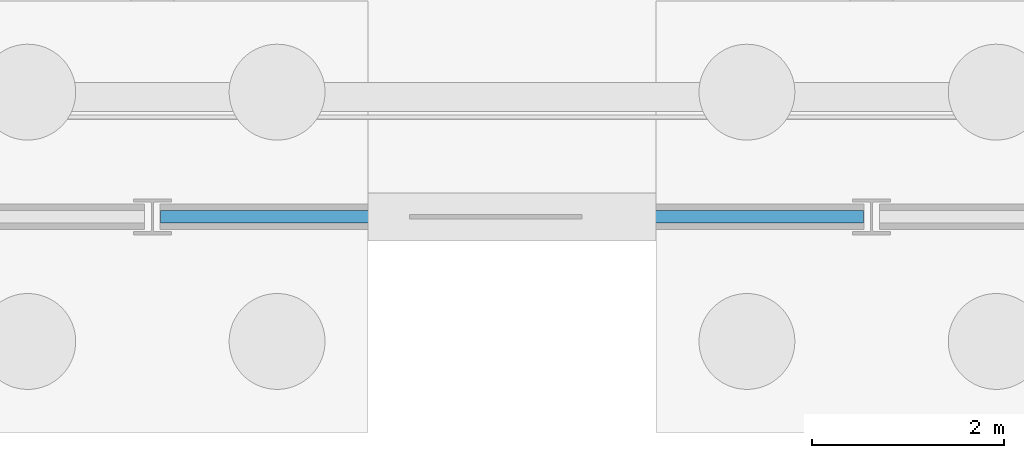
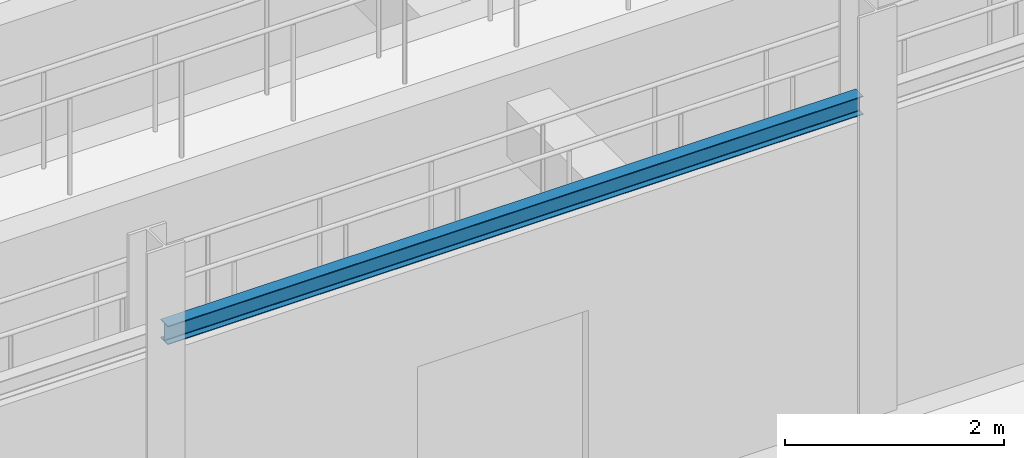
# One storey, part 42 of 136: 1 beam.
"""IFC4 building model written with IfcOpenShell, lengths in metres."""

from ifc_helpers import new_model, si_unit, direction, frame, origin, origin_2d, place, context, subcontext, project, spatial, i_section, extrude, material, material_profile, profile_set, type_object, element, save


model = new_model("IFC4")

# Units and contexts
model_context = context("Model", 3, precision=1e-05, world=origin(), true_north=direction((0.0, 1.0)))
body_context = subcontext(model_context, "Body", "Model", "MODEL_VIEW")
ifc_project = project(units=[si_unit("LENGTHUNIT", "METRE"), si_unit("AREAUNIT", "SQUARE_METRE"), si_unit("VOLUMEUNIT", "CUBIC_METRE"), si_unit("PLANEANGLEUNIT", "RADIAN"), si_unit("MASSUNIT", "GRAM", prefix="KILO")], contexts=[model_context])

# Site, building, storey
site_placement = place(None, origin())
site = spatial("IfcSite", under=ifc_project, at=site_placement, CompositionType="ELEMENT")
building_placement = place(site_placement, origin())
building = spatial("IfcBuilding", under=site, at=building_placement, Name="Solvenia Promenade Tram Depot", CompositionType="ELEMENT")
storey_placement = place(building_placement, origin())
storey = spatial("IfcBuildingStorey", under=building, at=storey_placement, Name="L00", CompositionType="ELEMENT", Elevation=0.0)

# Beam
ifc_material = material(Name="Structural steel ASTM A992 Gr. 50", Category="steel")
ifc_material_profile = material_profile(ifc_material, i_section(OverallWidth=0.133056640625, OverallDepth=0.20703125, WebThickness=0.005859375, FlangeThickness=0.00830078125, FilletRadius=0.009033203125, at=origin_2d()), Name="W200x27", Category="steel")
ifc_profile_set = profile_set([ifc_material_profile], Name="Structural steel ASTM A992 Gr. 50")
beam_type = type_object("IfcBeamType", Name="Lintel-W200x27", PredefinedType="LINTEL", material=ifc_profile_set)
beam_placement = place(storey_placement, frame((120.0849609375, 24.0, 3.41650390625), z_axis=(1.0, 0.0, 0.0), x_axis=(0.0, 1.0, 0.0)))
element("IfcBeam", 1, at=beam_placement, inside=storey, type_object=beam_type, Name="Workshop Bay Lintel 3 BM-L00-0946", PredefinedType="LINTEL", context=body_context, shape_type="SweptSolid", body=[
    extrude(i_section(OverallWidth=0.133056640625, OverallDepth=0.20703125, WebThickness=0.005859375, FlangeThickness=0.00830078125, FilletRadius=0.009033203125, at=origin_2d()), origin(), (0.0, 0.0, 1.0), 7.330078125),
])

save(model, "model.ifc")
